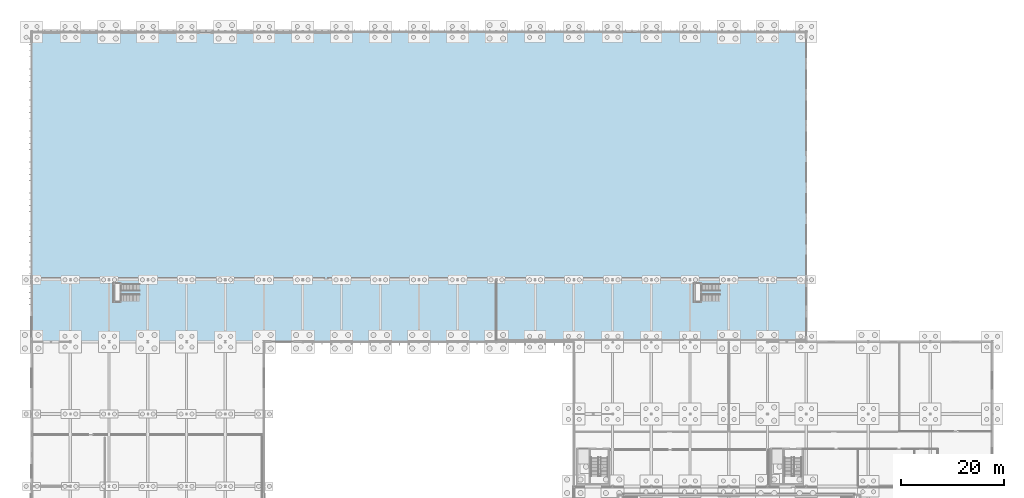
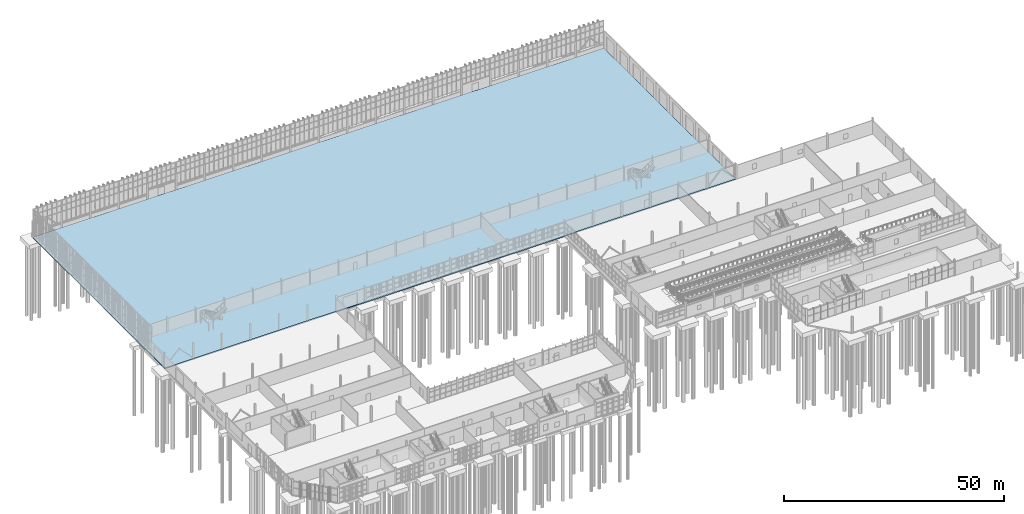
# One storey, part 92 of 136: 1 slab.
"""IFC4 building model written with IfcOpenShell, lengths in metres."""

from ifc_helpers import new_model, si_unit, direction, frame, origin, place, context, subcontext, project, spatial, polyline, outline, extrude, material, layer, layer_set, type_object, element, save


model = new_model("IFC4")

# Units and contexts
model_context = context("Model", 3, precision=1e-05, world=origin(), true_north=direction((0.0, 1.0)))
body_context = subcontext(model_context, "Body", "Model", "MODEL_VIEW")
ifc_project = project(units=[si_unit("LENGTHUNIT", "METRE"), si_unit("AREAUNIT", "SQUARE_METRE"), si_unit("VOLUMEUNIT", "CUBIC_METRE"), si_unit("PLANEANGLEUNIT", "RADIAN"), si_unit("MASSUNIT", "GRAM", prefix="KILO")], contexts=[model_context])

# Site, building, storey
site_placement = place(None, origin())
site = spatial("IfcSite", under=ifc_project, at=site_placement, CompositionType="ELEMENT")
building_placement = place(site_placement, origin())
building = spatial("IfcBuilding", under=site, at=building_placement, Name="Solvenia Promenade Tram Depot", CompositionType="ELEMENT")
storey_placement = place(building_placement, origin())
storey = spatial("IfcBuildingStorey", under=building, at=storey_placement, Name="L00", CompositionType="ELEMENT", Elevation=0.0)

# Slab
ifc_material = material(Name="Concrete C28/35", Category="concrete")
ifc_layer = layer(ifc_material, 0.300048828125, Name="Concrete C28/35", Category="concrete")
ifc_layer_set = layer_set([ifc_layer], Name="Concrete C28/35")
slab_type = type_object("IfcSlabType", Name="Slab-Base-300", PredefinedType="BASESLAB", material=ifc_layer_set)
slab_placement = place(storey_placement, frame((0.0, 0.0, -0.300048828125)))
element("IfcSlab", 1, at=slab_placement, inside=storey, type_object=slab_type, Name="L00 V1 Structural Slab", PredefinedType="BASESLAB", context=body_context, shape_type="SweptSolid", body=[
    extrude(outline(polyline([(0.0, 66.0), (150.0, 66.0), (150.0, 126.0), (0.0, 126.0), (0.0, 66.0)])), origin(), (0.0, 0.0, 1.0), 0.300048828125),
])

save(model, "model.ifc")
